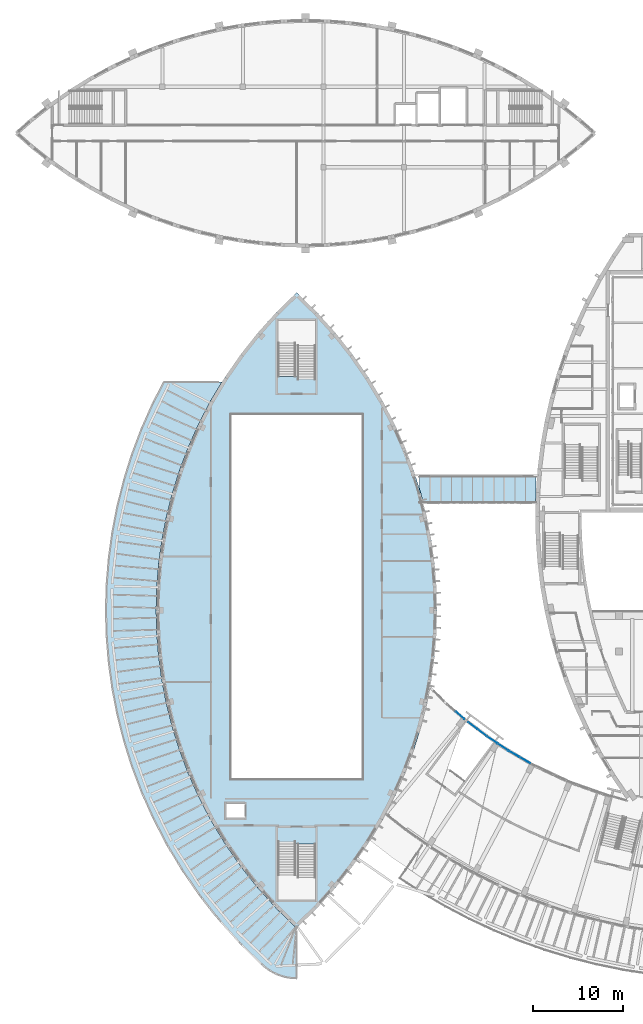
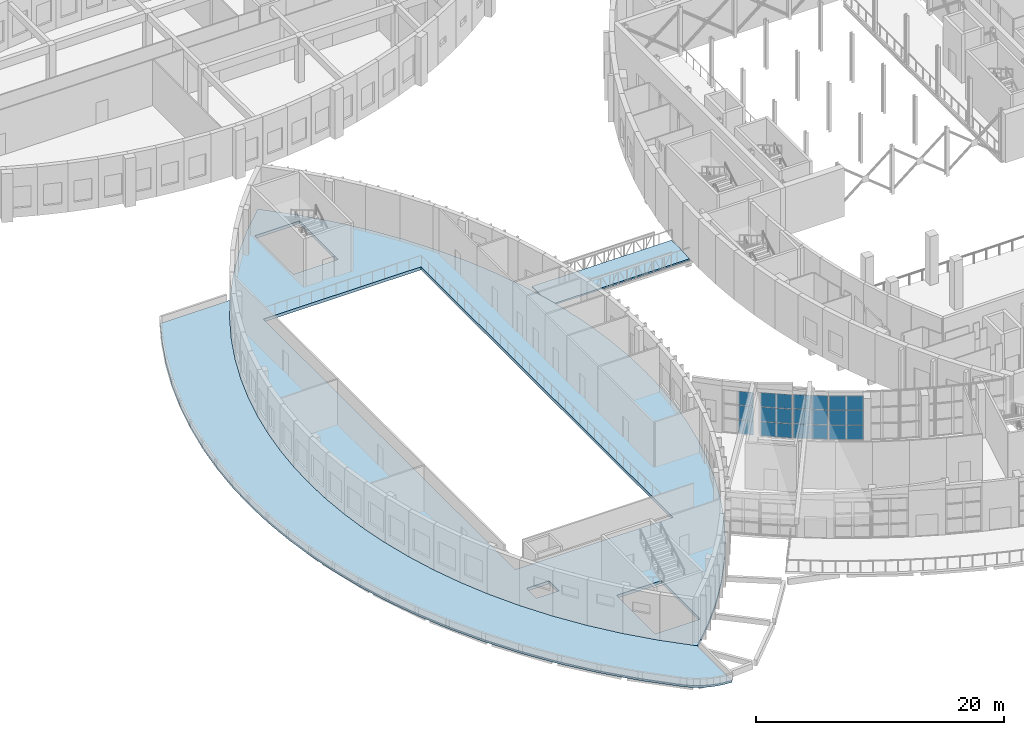
# One storey, part 42 of 93: 21 plates, 3 slabs, 4 elements without a shape of their own.
"""IFC4 building model written with IfcOpenShell, lengths in metres."""

import ifcopenshell
import ifcopenshell.guid

model = None  # the IFC model being written
_history = None  # IfcOwnerHistory: only IFC2X3 demands one
_inside = {}  # id of a spatial element -> (the spatial element, [elements in it])
_under = {}  # id of a project, library or spatial element -> (it, [spatial elements below it])
_declared = {}  # id of a project -> (the project, [libraries it declares])
_typed = {}  # id of a type object -> (the type object, [elements of that type])
_made_of = {}  # id of a material, layer set ... -> (it, [elements and type objects made of it])


def new_model(schema):
    """Start an empty IFC model of exactly this schema.

    Asked for "IFC4X3", IfcOpenShell would pick the latest addendum, in which some entities
    have other attributes; the version numbers below select the first issue.
    IFC2X3 requires an IfcOwnerHistory on every rooted entity: one is made here for all.
    """
    global model, _history
    if schema == "IFC4X3":
        model = ifcopenshell.file(schema_version=(4, 3, 0, 0))
    else:
        model = ifcopenshell.file(schema=schema)
    _inside.clear()
    _under.clear()
    _declared.clear()
    _typed.clear()
    _made_of.clear()
    _history = None
    if model.schema == "IFC2X3":
        org = make("IfcOrganization", Name="unknown")
        user = make(
            "IfcPersonAndOrganization",
            ThePerson=make("IfcPerson", FamilyName="unknown"),
            TheOrganization=org,
        )
        app = make(
            "IfcApplication",
            ApplicationDeveloper=org,
            Version="unknown",
            ApplicationFullName="unknown",
            ApplicationIdentifier="unknown",
        )
        _history = make(
            "IfcOwnerHistory",
            OwningUser=user,
            OwningApplication=app,
            ChangeAction="ADDED",
            CreationDate=0,
        )
    return model


def make(cls, **values):
    """One entity of the class cls with the attributes given. An attribute that is None is left unset."""
    return model.create_entity(
        cls, **{name: value for name, value in values.items() if value is not None}
    )


def rooted(cls, **values):
    """An entity with a GlobalId (a new one), such as an element, a storey or a relation."""
    return make(cls, GlobalId=ifcopenshell.guid.new(), OwnerHistory=_history, **values)


def si_unit(unit_type, name, prefix=None):
    """IfcSIUnit, for example si_unit("LENGTHUNIT", "METRE", prefix="MILLI")."""
    return make("IfcSIUnit", UnitType=unit_type, Prefix=prefix, Name=name)


def assignment(units):
    """IfcUnitAssignment: the units of a project."""
    return None if units is None else make("IfcUnitAssignment", Units=units)


def point(xyz):
    """IfcCartesianPoint."""
    return None if xyz is None else make("IfcCartesianPoint", Coordinates=xyz)


def direction(xyz):
    """IfcDirection."""
    return None if xyz is None else make("IfcDirection", DirectionRatios=xyz)


def frame(location, z_axis=None, x_axis=None):
    """IfcAxis2Placement3D, a coordinate frame: its origin and axes. An axis left out is left unset."""
    return make(
        "IfcAxis2Placement3D",
        Location=point(location),
        Axis=direction(z_axis),
        RefDirection=direction(x_axis),
    )


def frame_2d(location, x_axis=None):
    """IfcAxis2Placement2D, a coordinate frame in the plane: its origin and x axis."""
    return make(
        "IfcAxis2Placement2D", Location=point(location), RefDirection=direction(x_axis)
    )


def origin():
    """The frame at (0, 0, 0) with its axes left unset."""
    return frame((0.0, 0.0, 0.0))


def origin_2d():
    """The frame at (0, 0) in the plane with its x axis left unset."""
    return frame_2d((0.0, 0.0))


def place(relative_to, where):
    """IfcLocalPlacement: puts the frame where relative to a parent placement (None: the world)."""
    return make(
        "IfcLocalPlacement", PlacementRelTo=relative_to, RelativePlacement=where
    )


def context(
    kind, dimensions, precision=None, world=None, true_north=None, identifier=None
):
    """IfcGeometricRepresentationContext, for example the 3D "Model" context."""
    return make(
        "IfcGeometricRepresentationContext",
        ContextIdentifier=identifier,
        ContextType=kind,
        CoordinateSpaceDimension=dimensions,
        Precision=precision,
        WorldCoordinateSystem=world,
        TrueNorth=true_north,
    )


def subcontext(parent, identifier, kind, view, scale=None):
    """IfcGeometricRepresentationSubContext, for example "Body" below "Model"."""
    return make(
        "IfcGeometricRepresentationSubContext",
        ContextIdentifier=identifier,
        ContextType=kind,
        ParentContext=parent,
        TargetScale=scale,
        TargetView=view,
    )


def project(units=None, contexts=None):
    """IfcProject with its units and contexts."""
    return rooted(
        "IfcProject",
        Name="project",
        RepresentationContexts=contexts,
        UnitsInContext=assignment(units),
    )


def spatial(cls, under=None, at=None, **own):
    """A site, building, storey or space (cls), placed at a placement, below another one or the project."""
    s = rooted(cls, ObjectPlacement=at, **own)
    if under is not None:
        _under.setdefault(under.id(), (under, []))[1].append(s)
    return s


def polyline(points):
    """IfcPolyline through the points."""
    return make("IfcPolyline", Points=[point(p) for p in points])


def profile(cls, at=None, kind="AREA", **sizes):
    """A parametric profile (cls). Its sizes go by their IFC names, for example OverallWidth=200.0."""
    return make(cls, ProfileType=kind, Position=at, **sizes)


def rectangle(**sizes):
    """IfcRectangleProfileDef."""
    return profile("IfcRectangleProfileDef", **sizes)


def outline(outer, holes=None, kind="AREA"):
    """IfcArbitraryClosedProfileDef: a profile drawn as a closed curve; with holes, ...WithVoids."""
    if holes is None:
        return make("IfcArbitraryClosedProfileDef", ProfileType=kind, OuterCurve=outer)
    return make(
        "IfcArbitraryProfileDefWithVoids",
        ProfileType=kind,
        OuterCurve=outer,
        InnerCurves=holes,
    )


def extrude(swept, where, along, depth):
    """IfcExtrudedAreaSolid: the profile swept, set in the frame where, extruded along a direction by depth."""
    return make(
        "IfcExtrudedAreaSolid",
        SweptArea=swept,
        Position=where,
        ExtrudedDirection=direction(along),
        Depth=depth,
    )


def shape(context_of_items, identifier, shape_type, items):
    """IfcShapeRepresentation: the items that make up one representation, for example the "Body"."""
    return make(
        "IfcShapeRepresentation",
        ContextOfItems=context_of_items,
        RepresentationIdentifier=identifier,
        RepresentationType=shape_type,
        Items=items,
    )


def material(Name=None, Category=None):
    """IfcMaterial."""
    return make("IfcMaterial", Name=Name, Category=Category)


def layer(
    of_material, thickness, ventilated=None, Name=None, Category=None, Priority=None
):
    """IfcMaterialLayer: one layer of a wall or slab, of a material (None: an air gap)."""
    return make(
        "IfcMaterialLayer",
        Material=of_material,
        LayerThickness=thickness,
        IsVentilated=ventilated,
        Name=Name,
        Category=Category,
        Priority=Priority,
    )


def layer_set(layers, Name=None):
    """IfcMaterialLayerSet."""
    return make("IfcMaterialLayerSet", MaterialLayers=layers, LayerSetName=Name)


def made_of(thing, what):
    """Note that an element or type object is made of a material, layer set ...; save() writes the relation."""
    if what is not None:
        _made_of.setdefault(what.id(), (what, []))[1].append(thing)
    return thing


def type_object(cls, material=None, **own):
    """A type object (cls), such as IfcWallType, which elements share."""
    return made_of(rooted(cls, **own), material)


def element(
    cls,
    number,
    at=None,
    inside=None,
    cuts=None,
    type_object=None,
    material=None,
    context=None,
    identifier="Body",
    shape_type=None,
    held_by="IfcProductDefinitionShape",
    body=None,
    shapes=None,
    **own,
):
    """One element of the class cls, such as IfcWall. Its Tag is "e" and its number.

    at: its placement. inside: the storey or other place that contains it. cuts: it is an
    opening in that element (IfcRelVoidsElement). A single representation is given by context,
    identifier, shape_type and body (its items); several are given by shapes. held_by: the class
    of the entity that holds the representations. save() writes the other relations.
    """
    e = rooted(cls, Tag="e%d" % number, ObjectPlacement=at, **own)
    if body is not None:
        shapes = [shape(context, identifier, shape_type, body)]
    if shapes is not None:
        e.Representation = make(held_by, Representations=shapes)
    if inside is not None:
        _inside.setdefault(inside.id(), (inside, []))[1].append(e)
    if cuts is not None:
        rooted(
            "IfcRelVoidsElement", RelatingBuildingElement=cuts, RelatedOpeningElement=e
        )
    if type_object is not None:
        _typed.setdefault(type_object.id(), (type_object, []))[1].append(e)
    return made_of(e, material)


def aggregate(whole, parts):
    """IfcRelAggregates: a whole, such as a stair, and the parts it consists of."""
    return rooted("IfcRelAggregates", RelatingObject=whole, RelatedObjects=parts)


def save(model, path):
    """Write the relations noted so far, then the file.

    IfcRelAggregates (storeys below a building ...), IfcRelContainedInSpatialStructure (elements
    in a storey), IfcRelDefinesByType, IfcRelAssociatesMaterial and IfcRelDeclares: one each for
    every whole, place, type object, material and project.
    """
    for whole, parts in _under.values():
        aggregate(whole, parts)
    for where, things in _inside.values():
        rooted(
            "IfcRelContainedInSpatialStructure",
            RelatedElements=things,
            RelatingStructure=where,
        )
    for kind, things in _typed.values():
        rooted("IfcRelDefinesByType", RelatedObjects=things, RelatingType=kind)
    for what, things in _made_of.values():
        rooted("IfcRelAssociatesMaterial", RelatedObjects=things, RelatingMaterial=what)
    for by, libraries in _declared.values():
        rooted("IfcRelDeclares", RelatingContext=by, RelatedDefinitions=libraries)
    model.write(path)


model = new_model("IFC4")

# Units and contexts
model_context = context("Model", 3, precision=1e-05, world=origin(), true_north=direction((0.0, 1.0)))
body_context = subcontext(model_context, "Body", "Model", "MODEL_VIEW")
ifc_project = project(units=[si_unit("LENGTHUNIT", "METRE"), si_unit("AREAUNIT", "SQUARE_METRE"), si_unit("VOLUMEUNIT", "CUBIC_METRE"), si_unit("PLANEANGLEUNIT", "RADIAN"), si_unit("MASSUNIT", "GRAM", prefix="KILO")], contexts=[model_context])

# Site, building, storey
site_placement = place(None, origin())
site = spatial("IfcSite", under=ifc_project, at=site_placement, CompositionType="ELEMENT")
building_placement = place(site_placement, origin())
building = spatial("IfcBuilding", under=site, at=building_placement, Name="Tide Square Theatres", CompositionType="ELEMENT")
storey_placement = place(building_placement, frame((0.0, 0.0, 5.39990234375)))
storey = spatial("IfcBuildingStorey", under=building, at=storey_placement, Name="L01", CompositionType="ELEMENT", Elevation=5.39990234375)

# Curtain wall, plates
ifc_material_1 = material(Name="Aluminium 6063-T5", Category="aluminium")
curtain_wall_type = type_object("IfcCurtainWallType", Name="Unitised system curtain wall 4600 high", PredefinedType="USERDEFINED", material=ifc_material_1)
curtain_wall_1_placement = place(storey_placement, origin())
curtain_wall_1 = element("IfcCurtainWall", 1, at=curtain_wall_1_placement, inside=storey, type_object=curtain_wall_type, Name="Foyer inner curtain wall", ObjectType="UNITISED SYSTEM", PredefinedType="USERDEFINED")
ifc_material_2 = material(Name="Double-glazed unit with aluminium frame", Category="aluminium")
ifc_layer_1 = layer(ifc_material_2, 0.030029296875)
ifc_layer_set_1 = layer_set([ifc_layer_1], Name="Double-glazed unit with aluminium frame")
plate_type = type_object("IfcPlateType", Name="Curtain wall panel 30 thick", PredefinedType="CURTAIN_PANEL", material=ifc_layer_set_1)
plate_1_placement = place(storey_placement, frame((61.521240234375, 27.74267578125, 0.050048828125), z_axis=(0.0, 0.0, 1.0), x_axis=(-0.865525313117, 0.500865183811, 0.0)))
plate_1 = element("IfcPlate", 2, at=plate_1_placement, type_object=plate_type, Name="CW-03 panel 1.1", PredefinedType="CURTAIN_PANEL", context=body_context, shape_type="SweptSolid", body=[
    extrude(rectangle(XDim=1.364990234375, YDim=0.030029296875, at=origin_2d()), origin(), (0.0, 0.0, 1.0), 1.3916015625),
])
plate_2_placement = place(storey_placement, frame((61.521240234375, 27.74267578125, 1.491943359375), z_axis=(0.0, 0.0, 1.0), x_axis=(-0.865525313117, 0.500865183811, 0.0)))
plate_2 = element("IfcPlate", 3, at=plate_2_placement, type_object=plate_type, Name="CW-03 panel 1.2", PredefinedType="CURTAIN_PANEL", context=body_context, shape_type="SweptSolid", body=[
    extrude(rectangle(XDim=1.364990234375, YDim=0.030029296875, at=origin_2d()), origin(), (0.0, 0.0, 1.0), 1.41650390625),
])
plate_3_placement = place(storey_placement, frame((61.521240234375, 27.74267578125, 2.95849609375), z_axis=(0.0, 0.0, 1.0), x_axis=(-0.865525313117, 0.500865183811, 0.0)))
plate_3 = element("IfcPlate", 4, at=plate_3_placement, type_object=plate_type, Name="CW-03 panel 1.3", PredefinedType="CURTAIN_PANEL", context=body_context, shape_type="SweptSolid", body=[
    extrude(rectangle(XDim=1.364990234375, YDim=0.030029296875, at=origin_2d()), origin(), (0.0, 0.0, 1.0), 1.3916015625),
])
plate_4_placement = place(storey_placement, frame((60.296630859375, 28.451416015625, 0.050048828125), z_axis=(0.0, 0.0, 1.0), x_axis=(-0.865525313117, 0.500865183811, 0.0)))
plate_4 = element("IfcPlate", 5, at=plate_4_placement, type_object=plate_type, Name="CW-03 panel 2.1", PredefinedType="CURTAIN_PANEL", context=body_context, shape_type="SweptSolid", body=[
    extrude(rectangle(XDim=1.364990234375, YDim=0.030029296875, at=origin_2d()), origin(), (0.0, 0.0, 1.0), 1.3916015625),
])
plate_5_placement = place(storey_placement, frame((60.296630859375, 28.451416015625, 1.491943359375), z_axis=(0.0, 0.0, 1.0), x_axis=(-0.865525313117, 0.500865183811, 0.0)))
plate_5 = element("IfcPlate", 6, at=plate_5_placement, type_object=plate_type, Name="CW-03 panel 2.2", PredefinedType="CURTAIN_PANEL", context=body_context, shape_type="SweptSolid", body=[
    extrude(rectangle(XDim=1.364990234375, YDim=0.030029296875, at=origin_2d()), origin(), (0.0, 0.0, 1.0), 1.41650390625),
])
plate_6_placement = place(storey_placement, frame((60.296630859375, 28.451416015625, 2.95849609375), z_axis=(0.0, 0.0, 1.0), x_axis=(-0.865525313117, 0.500865183811, 0.0)))
plate_6 = element("IfcPlate", 7, at=plate_6_placement, type_object=plate_type, Name="CW-03 panel 2.3", PredefinedType="CURTAIN_PANEL", context=body_context, shape_type="SweptSolid", body=[
    extrude(rectangle(XDim=1.364990234375, YDim=0.030029296875, at=origin_2d()), origin(), (0.0, 0.0, 1.0), 1.3916015625),
])
aggregate(curtain_wall_1, [plate_1, plate_2, plate_3, plate_4, plate_5, plate_6])

curtain_wall_2_placement = place(storey_placement, origin())
curtain_wall_2 = element("IfcCurtainWall", 8, at=curtain_wall_2_placement, inside=storey, type_object=curtain_wall_type, Name="Foyer inner curtain wall", ObjectType="UNITISED SYSTEM", PredefinedType="USERDEFINED")
plate_7_placement = place(storey_placement, frame((59.052490234375, 29.22412109375, 0.050048828125), z_axis=(0.0, 0.0, 1.0), x_axis=(-0.832573386939, 0.553914754598, 0.0)))
plate_7 = element("IfcPlate", 9, at=plate_7_placement, type_object=plate_type, Name="CW-03 panel 1.1", PredefinedType="CURTAIN_PANEL", context=body_context, shape_type="SweptSolid", body=[
    extrude(rectangle(XDim=1.365234375, YDim=0.030029296875, at=origin_2d()), origin(), (0.0, 0.0, 1.0), 1.3916015625),
])
plate_8_placement = place(storey_placement, frame((59.052490234375, 29.22412109375, 1.491943359375), z_axis=(0.0, 0.0, 1.0), x_axis=(-0.832573386939, 0.553914754598, 0.0)))
plate_8 = element("IfcPlate", 10, at=plate_8_placement, type_object=plate_type, Name="CW-03 panel 1.2", PredefinedType="CURTAIN_PANEL", context=body_context, shape_type="SweptSolid", body=[
    extrude(rectangle(XDim=1.365234375, YDim=0.030029296875, at=origin_2d()), origin(), (0.0, 0.0, 1.0), 1.41650390625),
])
plate_9_placement = place(storey_placement, frame((59.052490234375, 29.22412109375, 2.95849609375), z_axis=(0.0, 0.0, 1.0), x_axis=(-0.832573386939, 0.553914754598, 0.0)))
plate_9 = element("IfcPlate", 11, at=plate_9_placement, type_object=plate_type, Name="CW-03 panel 1.3", PredefinedType="CURTAIN_PANEL", context=body_context, shape_type="SweptSolid", body=[
    extrude(rectangle(XDim=1.365234375, YDim=0.030029296875, at=origin_2d()), origin(), (0.0, 0.0, 1.0), 1.3916015625),
])
plate_10_placement = place(storey_placement, frame((57.87451171875, 30.0078125, 0.050048828125), z_axis=(0.0, 0.0, 1.0), x_axis=(-0.832573386939, 0.553914754598, 0.0)))
plate_10 = element("IfcPlate", 12, at=plate_10_placement, type_object=plate_type, Name="CW-03 panel 2.1", PredefinedType="CURTAIN_PANEL", context=body_context, shape_type="SweptSolid", body=[
    extrude(rectangle(XDim=1.365234375, YDim=0.030029296875, at=origin_2d()), origin(), (0.0, 0.0, 1.0), 1.3916015625),
])
plate_11_placement = place(storey_placement, frame((57.87451171875, 30.0078125, 1.491943359375), z_axis=(0.0, 0.0, 1.0), x_axis=(-0.832573386939, 0.553914754598, 0.0)))
plate_11 = element("IfcPlate", 13, at=plate_11_placement, type_object=plate_type, Name="CW-03 panel 2.2", PredefinedType="CURTAIN_PANEL", context=body_context, shape_type="SweptSolid", body=[
    extrude(rectangle(XDim=1.365234375, YDim=0.030029296875, at=origin_2d()), origin(), (0.0, 0.0, 1.0), 1.41650390625),
])
plate_12_placement = place(storey_placement, frame((57.87451171875, 30.0078125, 2.95849609375), z_axis=(0.0, 0.0, 1.0), x_axis=(-0.832573386939, 0.553914754598, 0.0)))
plate_12 = element("IfcPlate", 14, at=plate_12_placement, type_object=plate_type, Name="CW-03 panel 2.3", PredefinedType="CURTAIN_PANEL", context=body_context, shape_type="SweptSolid", body=[
    extrude(rectangle(XDim=1.365234375, YDim=0.030029296875, at=origin_2d()), origin(), (0.0, 0.0, 1.0), 1.3916015625),
])
aggregate(curtain_wall_2, [plate_7, plate_8, plate_9, plate_10, plate_11, plate_12])

curtain_wall_3_placement = place(storey_placement, origin())
curtain_wall_3 = element("IfcCurtainWall", 15, at=curtain_wall_3_placement, inside=storey, type_object=curtain_wall_type, Name="Foyer inner curtain wall", ObjectType="UNITISED SYSTEM", PredefinedType="USERDEFINED")
plate_13_placement = place(storey_placement, frame((56.725830078125, 30.82275390625, 0.050048828125), z_axis=(0.0, 0.0, 1.0), x_axis=(-0.796397272228, 0.60477382945, 0.0)))
plate_13 = element("IfcPlate", 16, at=plate_13_placement, type_object=plate_type, Name="CW-03 panel 1.1", PredefinedType="CURTAIN_PANEL", context=body_context, shape_type="SweptSolid", body=[
    extrude(rectangle(XDim=1.252685546875, YDim=0.030029296875, at=origin_2d()), origin(), (0.0, 0.0, 1.0), 1.37939453125),
])
plate_14_placement = place(storey_placement, frame((56.725830078125, 30.82275390625, 1.4794921875), z_axis=(0.0, 0.0, 1.0), x_axis=(-0.796397272228, 0.60477382945, 0.0)))
plate_14 = element("IfcPlate", 17, at=plate_14_placement, type_object=plate_type, Name="CW-03 panel 1.2", PredefinedType="CURTAIN_PANEL", context=body_context, shape_type="SweptSolid", body=[
    extrude(rectangle(XDim=1.252685546875, YDim=0.030029296875, at=origin_2d()), origin(), (0.0, 0.0, 1.0), 1.404541015625),
])
plate_15_placement = place(storey_placement, frame((56.725830078125, 30.82275390625, 2.93408203125), z_axis=(0.0, 0.0, 1.0), x_axis=(-0.796397272228, 0.60477382945, 0.0)))
plate_15 = element("IfcPlate", 18, at=plate_15_placement, type_object=plate_type, Name="CW-03 panel 1.3", PredefinedType="CURTAIN_PANEL", context=body_context, shape_type="SweptSolid", body=[
    extrude(rectangle(XDim=1.252685546875, YDim=0.030029296875, at=origin_2d()), origin(), (0.0, 0.0, 1.0), 1.37939453125),
])
plate_16_placement = place(storey_placement, frame((55.6884765625, 31.610595703125, 0.050048828125), z_axis=(0.0, 0.0, 1.0), x_axis=(-0.796397272228, 0.60477382945, 0.0)))
plate_16 = element("IfcPlate", 19, at=plate_16_placement, type_object=plate_type, Name="CW-03 panel 2.1", PredefinedType="CURTAIN_PANEL", context=body_context, shape_type="SweptSolid", body=[
    extrude(rectangle(XDim=1.252685546875, YDim=0.030029296875, at=origin_2d()), origin(), (0.0, 0.0, 1.0), 1.37939453125),
])
plate_17_placement = place(storey_placement, frame((55.6884765625, 31.610595703125, 1.4794921875), z_axis=(0.0, 0.0, 1.0), x_axis=(-0.796397272228, 0.60477382945, 0.0)))
plate_17 = element("IfcPlate", 20, at=plate_17_placement, type_object=plate_type, Name="CW-03 panel 2.2", PredefinedType="CURTAIN_PANEL", context=body_context, shape_type="SweptSolid", body=[
    extrude(rectangle(XDim=1.252685546875, YDim=0.030029296875, at=origin_2d()), origin(), (0.0, 0.0, 1.0), 1.404541015625),
])
plate_18_placement = place(storey_placement, frame((55.6884765625, 31.610595703125, 2.93408203125), z_axis=(0.0, 0.0, 1.0), x_axis=(-0.796397272228, 0.60477382945, 0.0)))
plate_18 = element("IfcPlate", 21, at=plate_18_placement, type_object=plate_type, Name="CW-03 panel 2.3", PredefinedType="CURTAIN_PANEL", context=body_context, shape_type="SweptSolid", body=[
    extrude(rectangle(XDim=1.252685546875, YDim=0.030029296875, at=origin_2d()), origin(), (0.0, 0.0, 1.0), 1.37939453125),
])
aggregate(curtain_wall_3, [plate_13, plate_14, plate_15, plate_16, plate_17, plate_18])

curtain_wall_4_placement = place(storey_placement, origin())
curtain_wall_4 = element("IfcCurtainWall", 22, at=curtain_wall_4_placement, inside=storey, type_object=curtain_wall_type, Name="Foyer inner curtain wall", ObjectType="UNITISED SYSTEM", PredefinedType="USERDEFINED")
plate_19_placement = place(storey_placement, frame((54.265625, 32.763916015625, 0.050048828125), z_axis=(0.0, 0.0, 1.0), x_axis=(-0.757087752153, 0.653313198658, 0.0)))
plate_19 = element("IfcPlate", 23, at=plate_19_placement, type_object=plate_type, Name="CW-03 panel 1.1", PredefinedType="CURTAIN_PANEL", context=body_context, shape_type="SweptSolid", body=[
    extrude(rectangle(XDim=1.232666015625, YDim=0.030029296875, at=origin_2d()), origin(), (0.0, 0.0, 1.0), 1.35205078125),
])
plate_20_placement = place(storey_placement, frame((54.265625, 32.763916015625, 1.4521484375), z_axis=(0.0, 0.0, 1.0), x_axis=(-0.757087752153, 0.653313198658, 0.0)))
plate_20 = element("IfcPlate", 24, at=plate_20_placement, type_object=plate_type, Name="CW-03 panel 1.2", PredefinedType="CURTAIN_PANEL", context=body_context, shape_type="SweptSolid", body=[
    extrude(rectangle(XDim=1.232666015625, YDim=0.030029296875, at=origin_2d()), origin(), (0.0, 0.0, 1.0), 1.377197265625),
])
plate_21_placement = place(storey_placement, frame((54.265625, 32.763916015625, 2.87939453125), z_axis=(0.0, 0.0, 1.0), x_axis=(-0.757087752153, 0.653313198658, 0.0)))
plate_21 = element("IfcPlate", 25, at=plate_21_placement, type_object=plate_type, Name="CW-03 panel 1.3", PredefinedType="CURTAIN_PANEL", context=body_context, shape_type="SweptSolid", body=[
    extrude(rectangle(XDim=1.232666015625, YDim=0.030029296875, at=origin_2d()), origin(), (0.0, 0.0, 1.0), 1.35205078125),
])
aggregate(curtain_wall_4, [plate_19, plate_20, plate_21])

# Slabs
ifc_material_3 = material(Name="Concrete C35", Category="concrete")
ifc_layer_2 = layer(ifc_material_3, 0.14990234375)
ifc_layer_set_2 = layer_set([ifc_layer_2], Name="Concrete C35")
slab_type_1 = type_object("IfcSlabType", Name="RC floor slab 150", PredefinedType="FLOOR", material=ifc_layer_set_2)
slab_1_placement = place(storey_placement, frame((0.0, 0.0, -0.14990234375)))
element("IfcSlab", 26, at=slab_1_placement, inside=storey, type_object=slab_type_1, Name="Bridge BR-W1 deck", PredefinedType="FLOOR", context=body_context, shape_type="SweptSolid", body=[
    extrude(outline(polyline([(62.730224609375, 57.65283203125), (62.755859375, 58.0), (62.755859375, 59.5), (49.742431640625, 59.5), (49.742431640625, 58.0), (49.902099609375, 57.488525390625), (50.14990234375, 56.5), (62.701904296875, 56.5), (62.730224609375, 57.65283203125)])), origin(), (0.0, 0.0, 1.0), 0.14990234375),
])
ifc_material_4 = material(Name="Concrete C35", Category="concrete")
ifc_layer_3 = layer(ifc_material_4, 0.300048828125)
ifc_layer_set_3 = layer_set([ifc_layer_3], Name="Concrete C35")
slab_type_2 = type_object("IfcSlabType", Name="RC floor slab 300", PredefinedType="FLOOR", material=ifc_layer_set_3)
slab_2_placement = place(storey_placement, frame((0.0, 0.0, -0.2998046875)))
element("IfcSlab", 27, at=slab_2_placement, inside=storey, type_object=slab_type_2, Name="Studio Theatre floor slab L01", PredefinedType="FLOOR", context=body_context, shape_type="SweptSolid", body=[
    extrude(outline(polyline([(36.0, 9.0), (38.243408203125, 11.17919921875), (40.33984375, 13.5), (42.254638671875, 15.9169921875), (44.01025390625, 18.451904296875), (45.599609375, 21.09423828125), (47.01611328125, 23.833251953125), (48.12353515625, 26.33642578125), (49.086669921875, 28.898681640625), (49.902099609375, 31.511474609375), (50.5673828125, 34.166748046875), (51.05859375, 36.723388671875), (51.41064453125, 39.302734375), (51.622314453125, 41.897705078125), (51.69287109375, 44.5), (51.622314453125, 47.102294921875), (51.41064453125, 49.697265625), (51.05859375, 52.276611328125), (50.5673828125, 54.833251953125), (49.902099609375, 57.488525390625), (49.086669921875, 60.101318359375), (48.12353515625, 62.66357421875), (47.01611328125, 65.166748046875), (45.599609375, 67.90576171875), (44.01025390625, 70.548095703125), (42.254638671875, 73.0830078125), (40.33984375, 75.5), (38.243408203125, 77.82080078125), (36.0, 80.0), (33.756591796875, 77.82080078125), (31.66015625, 75.5), (29.745361328125, 73.0830078125), (27.98974609375, 70.548095703125), (26.400390625, 67.90576171875), (24.98388671875, 65.166748046875), (23.87646484375, 62.66357421875), (22.913330078125, 60.101318359375), (22.097900390625, 57.488525390625), (21.4326171875, 54.833251953125), (20.94140625, 52.276611328125), (20.58935546875, 49.697265625), (20.377685546875, 47.102294921875), (20.30712890625, 44.5), (20.377685546875, 41.897705078125), (20.58935546875, 39.302734375), (20.94140625, 36.723388671875), (21.4326171875, 34.166748046875), (22.097900390625, 31.511474609375), (22.913330078125, 28.898681640625), (23.87646484375, 26.33642578125), (24.98388671875, 23.833251953125), (26.400390625, 21.09423828125), (27.98974609375, 18.451904296875), (29.745361328125, 15.9169921875), (31.66015625, 13.5), (33.756591796875, 11.17919921875), (36.0, 9.0)]), holes=[polyline([(28.64990234375, 66.35009765625), (28.64990234375, 25.64990234375), (43.35009765625, 25.64990234375), (43.35009765625, 66.35009765625), (28.64990234375, 66.35009765625)]), polyline([(30.219970703125, 21.300048828125), (30.219970703125, 22.89990234375), (28.1201171875, 22.89990234375), (28.1201171875, 21.300048828125), (30.219970703125, 21.300048828125)]), polyline([(38.10009765625, 70.59912109375), (38.10009765625, 76.85009765625), (33.89990234375, 76.85009765625), (33.89990234375, 70.59912109375), (38.10009765625, 70.59912109375)]), polyline([(33.89990234375, 18.40087890625), (33.89990234375, 12.14990234375), (38.10009765625, 12.14990234375), (38.10009765625, 18.40087890625), (33.89990234375, 18.40087890625)])]), origin(), (0.0, 0.0, 1.0), 0.2998046875),
])
ifc_material_5 = material(Name="Concrete C40", Category="concrete")
ifc_layer_4 = layer(ifc_material_5, 0.199951171875)
ifc_layer_set_4 = layer_set([ifc_layer_4], Name="Concrete C40")
slab_type_3 = type_object("IfcSlabType", Name="RC roof slab 200", PredefinedType="ROOF", material=ifc_layer_set_4)
slab_3_placement = place(storey_placement, frame((0.0, 0.0, -0.199951171875)))
element("IfcSlab", 28, at=slab_3_placement, inside=storey, type_object=slab_type_3, Name="Side arcade roof slab", PredefinedType="ROOF", context=body_context, shape_type="SweptSolid", body=[
    extrude(outline(polyline([(29.601318359375, 7.42529296875), (29.8544921875, 7.16259765625), (32.097900390625, 4.9833984375), (32.50244140625, 4.62646484375), (32.939453125, 4.310302734375), (33.40478515625, 4.03759765625), (33.89453125, 3.810791015625), (34.403564453125, 3.63232421875), (34.927490234375, 3.503662109375), (35.461181640625, 3.426025390625), (36.0, 3.39990234375), (36.0, 9.0), (33.756591796875, 11.17919921875), (31.66015625, 13.5), (29.745361328125, 15.9169921875), (27.98974609375, 18.451904296875), (26.400390625, 21.09423828125), (24.98388671875, 23.833251953125), (23.87646484375, 26.33642578125), (22.913330078125, 28.898681640625), (22.097900390625, 31.511474609375), (21.4326171875, 34.166748046875), (20.94140625, 36.723388671875), (20.58935546875, 39.302734375), (20.377685546875, 41.897705078125), (20.30712890625, 44.5), (20.377685546875, 47.102294921875), (20.58935546875, 49.697265625), (20.94140625, 52.276611328125), (21.4326171875, 54.833251953125), (22.097900390625, 57.488525390625), (22.913330078125, 60.101318359375), (23.87646484375, 62.66357421875), (24.98388671875, 65.166748046875), (26.400390625, 67.90576171875), (27.659912109375, 70.0), (21.178955078125, 70.0), (20.009765625, 67.739013671875), (19.863037109375, 67.4326171875), (18.75537109375, 64.9296875), (18.634521484375, 64.634033203125), (17.67138671875, 62.07177734375), (17.567626953125, 61.769775390625), (16.752197265625, 59.156982421875), (16.665771484375, 58.849609375), (16.00048828125, 56.1943359375), (15.93310546875, 55.89013671875), (15.44189453125, 53.33349609375), (15.392578125, 53.03369140625), (15.040771484375, 50.454345703125), (15.0078125, 50.15234375), (14.796142578125, 47.5576171875), (14.77978515625, 47.25439453125), (14.709228515625, 44.65185546875), (14.709228515625, 44.34814453125), (14.77978515625, 41.74560546875), (14.796142578125, 41.4423828125), (15.0078125, 38.84765625), (15.040771484375, 38.545654296875), (15.392578125, 35.96630859375), (15.44189453125, 35.66650390625), (15.93310546875, 33.10986328125), (16.00048828125, 32.8056640625), (16.665771484375, 30.150390625), (16.752197265625, 29.843017578125), (17.567626953125, 27.230224609375), (17.67138671875, 26.92822265625), (18.634521484375, 24.365966796875), (18.75537109375, 24.0703125), (19.863037109375, 21.5673828125), (20.009765625, 21.260986328125), (21.426025390625, 18.522216796875), (21.6015625, 18.2080078125), (23.19091796875, 15.565673828125), (23.385986328125, 15.263427734375), (25.1416015625, 12.728515625), (25.35595703125, 12.439453125), (27.270751953125, 10.0224609375), (27.5048828125, 9.74609375), (29.601318359375, 7.42529296875)])), origin(), (0.0, 0.0, 1.0), 0.199951171875),
])

save(model, "model.ifc")
